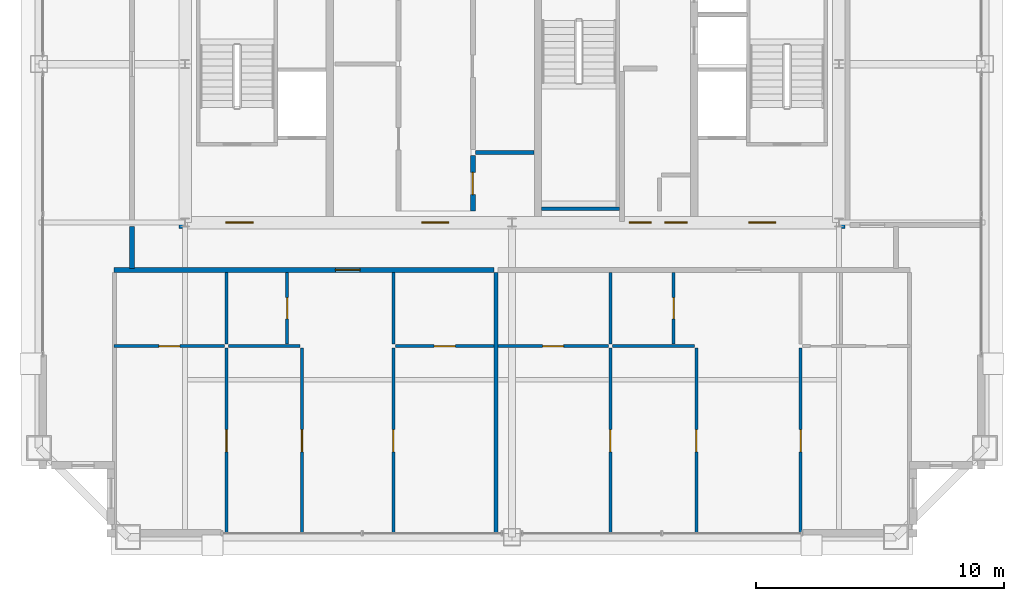
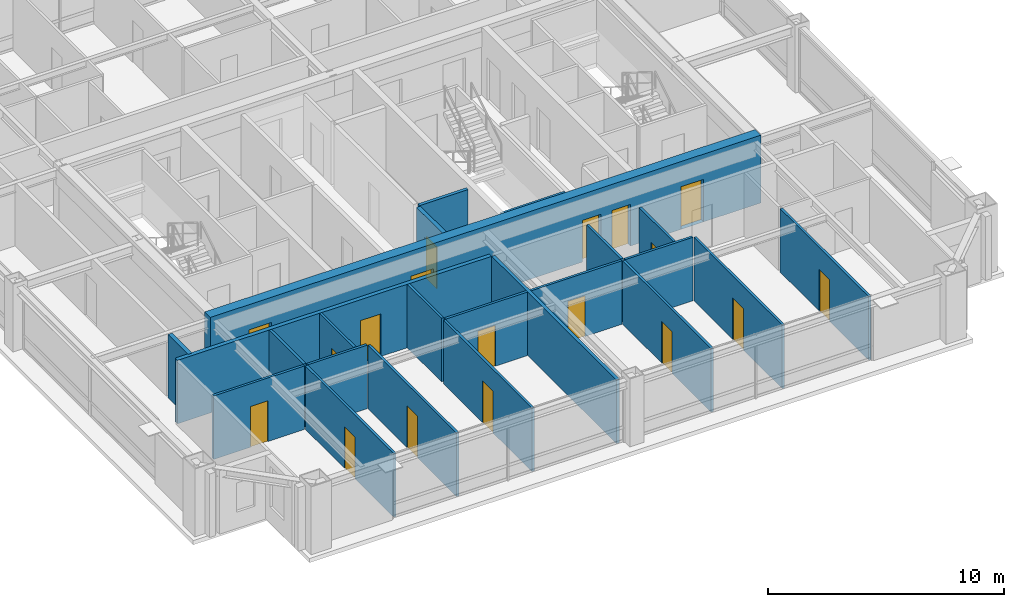
# One storey, part 30 of 35: 23 walls, 18 doors, 18 openings.
"""IFC4 building model written with IfcOpenShell, lengths in metres."""

import ifcopenshell
import ifcopenshell.guid

model = None  # the IFC model being written
_history = None  # IfcOwnerHistory: only IFC2X3 demands one
_inside = {}  # id of a spatial element -> (the spatial element, [elements in it])
_under = {}  # id of a project, library or spatial element -> (it, [spatial elements below it])
_declared = {}  # id of a project -> (the project, [libraries it declares])
_typed = {}  # id of a type object -> (the type object, [elements of that type])
_made_of = {}  # id of a material, layer set ... -> (it, [elements and type objects made of it])


def new_model(schema):
    """Start an empty IFC model of exactly this schema.

    Asked for "IFC4X3", IfcOpenShell would pick the latest addendum, in which some entities
    have other attributes; the version numbers below select the first issue.
    IFC2X3 requires an IfcOwnerHistory on every rooted entity: one is made here for all.
    """
    global model, _history
    if schema == "IFC4X3":
        model = ifcopenshell.file(schema_version=(4, 3, 0, 0))
    else:
        model = ifcopenshell.file(schema=schema)
    _inside.clear()
    _under.clear()
    _declared.clear()
    _typed.clear()
    _made_of.clear()
    _history = None
    if model.schema == "IFC2X3":
        org = make("IfcOrganization", Name="unknown")
        user = make(
            "IfcPersonAndOrganization",
            ThePerson=make("IfcPerson", FamilyName="unknown"),
            TheOrganization=org,
        )
        app = make(
            "IfcApplication",
            ApplicationDeveloper=org,
            Version="unknown",
            ApplicationFullName="unknown",
            ApplicationIdentifier="unknown",
        )
        _history = make(
            "IfcOwnerHistory",
            OwningUser=user,
            OwningApplication=app,
            ChangeAction="ADDED",
            CreationDate=0,
        )
    return model


def make(cls, **values):
    """One entity of the class cls with the attributes given. An attribute that is None is left unset."""
    return model.create_entity(
        cls, **{name: value for name, value in values.items() if value is not None}
    )


def rooted(cls, **values):
    """An entity with a GlobalId (a new one), such as an element, a storey or a relation."""
    return make(cls, GlobalId=ifcopenshell.guid.new(), OwnerHistory=_history, **values)


def si_unit(unit_type, name, prefix=None):
    """IfcSIUnit, for example si_unit("LENGTHUNIT", "METRE", prefix="MILLI")."""
    return make("IfcSIUnit", UnitType=unit_type, Prefix=prefix, Name=name)


def assignment(units):
    """IfcUnitAssignment: the units of a project."""
    return None if units is None else make("IfcUnitAssignment", Units=units)


def point(xyz):
    """IfcCartesianPoint."""
    return None if xyz is None else make("IfcCartesianPoint", Coordinates=xyz)


def direction(xyz):
    """IfcDirection."""
    return None if xyz is None else make("IfcDirection", DirectionRatios=xyz)


def frame(location, z_axis=None, x_axis=None):
    """IfcAxis2Placement3D, a coordinate frame: its origin and axes. An axis left out is left unset."""
    return make(
        "IfcAxis2Placement3D",
        Location=point(location),
        Axis=direction(z_axis),
        RefDirection=direction(x_axis),
    )


def frame_2d(location, x_axis=None):
    """IfcAxis2Placement2D, a coordinate frame in the plane: its origin and x axis."""
    return make(
        "IfcAxis2Placement2D", Location=point(location), RefDirection=direction(x_axis)
    )


def origin():
    """The frame at (0, 0, 0) with its axes left unset."""
    return frame((0.0, 0.0, 0.0))


def place(relative_to, where):
    """IfcLocalPlacement: puts the frame where relative to a parent placement (None: the world)."""
    return make(
        "IfcLocalPlacement", PlacementRelTo=relative_to, RelativePlacement=where
    )


def context(
    kind, dimensions, precision=None, world=None, true_north=None, identifier=None
):
    """IfcGeometricRepresentationContext, for example the 3D "Model" context."""
    return make(
        "IfcGeometricRepresentationContext",
        ContextIdentifier=identifier,
        ContextType=kind,
        CoordinateSpaceDimension=dimensions,
        Precision=precision,
        WorldCoordinateSystem=world,
        TrueNorth=true_north,
    )


def subcontext(parent, identifier, kind, view, scale=None):
    """IfcGeometricRepresentationSubContext, for example "Body" below "Model"."""
    return make(
        "IfcGeometricRepresentationSubContext",
        ContextIdentifier=identifier,
        ContextType=kind,
        ParentContext=parent,
        TargetScale=scale,
        TargetView=view,
    )


def project(units=None, contexts=None):
    """IfcProject with its units and contexts."""
    return rooted(
        "IfcProject",
        Name="project",
        RepresentationContexts=contexts,
        UnitsInContext=assignment(units),
    )


def spatial(cls, under=None, at=None, **own):
    """A site, building, storey or space (cls), placed at a placement, below another one or the project."""
    s = rooted(cls, ObjectPlacement=at, **own)
    if under is not None:
        _under.setdefault(under.id(), (under, []))[1].append(s)
    return s


def profile(cls, at=None, kind="AREA", **sizes):
    """A parametric profile (cls). Its sizes go by their IFC names, for example OverallWidth=200.0."""
    return make(cls, ProfileType=kind, Position=at, **sizes)


def rectangle(**sizes):
    """IfcRectangleProfileDef."""
    return profile("IfcRectangleProfileDef", **sizes)


def extrude(swept, where, along, depth):
    """IfcExtrudedAreaSolid: the profile swept, set in the frame where, extruded along a direction by depth."""
    return make(
        "IfcExtrudedAreaSolid",
        SweptArea=swept,
        Position=where,
        ExtrudedDirection=direction(along),
        Depth=depth,
    )


def shape(context_of_items, identifier, shape_type, items):
    """IfcShapeRepresentation: the items that make up one representation, for example the "Body"."""
    return make(
        "IfcShapeRepresentation",
        ContextOfItems=context_of_items,
        RepresentationIdentifier=identifier,
        RepresentationType=shape_type,
        Items=items,
    )


def source(mapping_origin, context_of_items, identifier, shape_type, items):
    """IfcRepresentationMap: a shape defined once, which mapped items show again and again."""
    return make(
        "IfcRepresentationMap",
        MappingOrigin=mapping_origin,
        MappedRepresentation=shape(context_of_items, identifier, shape_type, items),
    )


def transform(
    local_origin,
    x_axis=None,
    y_axis=None,
    z_axis=None,
    scale=None,
    scale2=None,
    scale3=None,
    uniform=True,
):
    """IfcCartesianTransformationOperator3D, or its non-uniform kind. x_axis, y_axis, z_axis: its Axis1, 2, 3."""
    if uniform:
        return make(
            "IfcCartesianTransformationOperator3D",
            Axis1=direction(x_axis),
            Axis2=direction(y_axis),
            LocalOrigin=point(local_origin),
            Scale=scale,
            Axis3=direction(z_axis),
        )
    return make(
        "IfcCartesianTransformationOperator3DnonUniform",
        Axis1=direction(x_axis),
        Axis2=direction(y_axis),
        LocalOrigin=point(local_origin),
        Scale=scale,
        Axis3=direction(z_axis),
        Scale2=scale2,
        Scale3=scale3,
    )


def mapped(mapping_source, mapping_target):
    """IfcMappedItem: shows the shape of a source again, moved by a transform."""
    return make(
        "IfcMappedItem", MappingSource=mapping_source, MappingTarget=mapping_target
    )


def material(Name=None, Category=None):
    """IfcMaterial."""
    return make("IfcMaterial", Name=Name, Category=Category)


def layer(
    of_material, thickness, ventilated=None, Name=None, Category=None, Priority=None
):
    """IfcMaterialLayer: one layer of a wall or slab, of a material (None: an air gap)."""
    return make(
        "IfcMaterialLayer",
        Material=of_material,
        LayerThickness=thickness,
        IsVentilated=ventilated,
        Name=Name,
        Category=Category,
        Priority=Priority,
    )


def layer_set(layers, Name=None):
    """IfcMaterialLayerSet."""
    return make("IfcMaterialLayerSet", MaterialLayers=layers, LayerSetName=Name)


def made_of(thing, what):
    """Note that an element or type object is made of a material, layer set ...; save() writes the relation."""
    if what is not None:
        _made_of.setdefault(what.id(), (what, []))[1].append(thing)
    return thing


def type_object(cls, material=None, **own):
    """A type object (cls), such as IfcWallType, which elements share."""
    return made_of(rooted(cls, **own), material)


def element(
    cls,
    number,
    at=None,
    inside=None,
    cuts=None,
    type_object=None,
    material=None,
    context=None,
    identifier="Body",
    shape_type=None,
    held_by="IfcProductDefinitionShape",
    body=None,
    shapes=None,
    **own,
):
    """One element of the class cls, such as IfcWall. Its Tag is "e" and its number.

    at: its placement. inside: the storey or other place that contains it. cuts: it is an
    opening in that element (IfcRelVoidsElement). A single representation is given by context,
    identifier, shape_type and body (its items); several are given by shapes. held_by: the class
    of the entity that holds the representations. save() writes the other relations.
    """
    e = rooted(cls, Tag="e%d" % number, ObjectPlacement=at, **own)
    if body is not None:
        shapes = [shape(context, identifier, shape_type, body)]
    if shapes is not None:
        e.Representation = make(held_by, Representations=shapes)
    if inside is not None:
        _inside.setdefault(inside.id(), (inside, []))[1].append(e)
    if cuts is not None:
        rooted(
            "IfcRelVoidsElement", RelatingBuildingElement=cuts, RelatedOpeningElement=e
        )
    if type_object is not None:
        _typed.setdefault(type_object.id(), (type_object, []))[1].append(e)
    return made_of(e, material)


def fill(opening, filler):
    """IfcRelFillsElement: the door or window that sits in an opening."""
    return rooted(
        "IfcRelFillsElement",
        RelatingOpeningElement=opening,
        RelatedBuildingElement=filler,
    )


def aggregate(whole, parts):
    """IfcRelAggregates: a whole, such as a stair, and the parts it consists of."""
    return rooted("IfcRelAggregates", RelatingObject=whole, RelatedObjects=parts)


def save(model, path):
    """Write the relations noted so far, then the file.

    IfcRelAggregates (storeys below a building ...), IfcRelContainedInSpatialStructure (elements
    in a storey), IfcRelDefinesByType, IfcRelAssociatesMaterial and IfcRelDeclares: one each for
    every whole, place, type object, material and project.
    """
    for whole, parts in _under.values():
        aggregate(whole, parts)
    for where, things in _inside.values():
        rooted(
            "IfcRelContainedInSpatialStructure",
            RelatedElements=things,
            RelatingStructure=where,
        )
    for kind, things in _typed.values():
        rooted("IfcRelDefinesByType", RelatedObjects=things, RelatingType=kind)
    for what, things in _made_of.values():
        rooted("IfcRelAssociatesMaterial", RelatedObjects=things, RelatingMaterial=what)
    for by, libraries in _declared.values():
        rooted("IfcRelDeclares", RelatingContext=by, RelatedDefinitions=libraries)
    model.write(path)


model = new_model("IFC4")

# Units and contexts
model_context = context("Model", 3, precision=1e-05, world=origin(), true_north=direction((0.0, 1.0)))
body_context = subcontext(model_context, "Body", "Model", "MODEL_VIEW")
ifc_project = project(units=[si_unit("LENGTHUNIT", "METRE"), si_unit("AREAUNIT", "SQUARE_METRE"), si_unit("VOLUMEUNIT", "CUBIC_METRE"), si_unit("PLANEANGLEUNIT", "RADIAN"), si_unit("MASSUNIT", "GRAM", prefix="KILO"), si_unit("THERMODYNAMICTEMPERATUREUNIT", "KELVIN"), si_unit("POWERUNIT", "WATT")], contexts=[model_context])

# Site, building, storey
site_placement = place(None, origin())
site = spatial("IfcSite", under=ifc_project, at=site_placement, CompositionType="ELEMENT")
building_placement = place(site_placement, origin())
building = spatial("IfcBuilding", under=site, at=building_placement, Name="Yuzanri Waterfront Tower", CompositionType="ELEMENT")
storey_placement = place(building_placement, frame((0.0, 0.0, 296.10009765625)))
storey = spatial("IfcBuildingStorey", under=building, at=storey_placement, Name="L79", CompositionType="ELEMENT", Elevation=296.10009765625)

# Wall, opening, door
ifc_material_1 = material(Name="Moisture-Resistant Gypsum Stud Wall", Category="gypsum")
ifc_layer_1 = layer(ifc_material_1, 0.1201171875)
ifc_layer_set_1 = layer_set([ifc_layer_1], Name="Moisture-Resistant Gypsum Stud Wall")
wall_type_1 = type_object("IfcWallType", Name="Bathroom and Kitchen Wet Partition 120", PredefinedType="PARTITIONING", material=ifc_layer_set_1)
wall_1_placement = place(storey_placement, frame((20.93994140625, 14.409912109375, 0.0), z_axis=(0.0, 0.0, 1.0), x_axis=(1.0, 0.0, 0.0)))
wall_1 = element("IfcWall", 1, at=wall_1_placement, inside=storey, type_object=wall_type_1, Name="L79 Partition UW-L79-HS1-SUB-1-S", PredefinedType="PARTITIONING", context=body_context, shape_type="SweptSolid", body=[
    extrude(rectangle(XDim=4.449951171875, YDim=0.1201171875, at=frame_2d((2.22509765625, 0.0))), origin(), (0.0, 0.0, 1.0), 3.27978515625),
])
opening_1_placement = place(wall_1_placement, frame((1.800048828125, 0.0, 0.0)))
opening_1 = element("IfcOpeningElement", 2, at=opening_1_placement, cuts=wall_1, Name="Opening ID-0850", PredefinedType="OPENING", context=body_context, shape_type="SweptSolid", body=[
    extrude(rectangle(XDim=0.85009765625, YDim=2.10009765625, at=frame_2d((0.425048828125, 1.050048828125))), frame((0.0, 0.074951171875, 0.0), z_axis=(0.0, -1.0, 0.0), x_axis=(1.0, 0.0, 0.0)), (0.0, 0.0, 1.0), 0.14990234375),
])
ifc_material_2 = material(Name="Moisture-Resistant Lacquered Timber", Category="wood")
door_type_1 = type_object("IfcDoorType", Name="En-Suite Bathroom and Kitchen Swing Door 850x2100", OperationType="NOTDEFINED", PredefinedType="DOOR", material=ifc_material_2)
shared_shape_1 = source(origin(), body_context, "Body", "SweptSolid", [
    extrude(rectangle(XDim=0.85009765625, YDim=2.10009765625, at=frame_2d((0.425048828125, 1.050048828125))), frame((0.0, 0.02490234375, 0.0), z_axis=(0.0, -1.0, 0.0), x_axis=(1.0, 0.0, 0.0)), (0.0, 0.0, 1.0), 0.050048828125),
])
door_1_placement = place(opening_1_placement, origin())
door_1 = element("IfcDoor", 3, at=door_1_placement, inside=storey, type_object=door_type_1, Name="L79 Suite Interior Room Door", OperationType="SINGLE_SWING_RIGHT", OverallHeight=2.10009765625, OverallWidth=0.85009765625, PredefinedType="DOOR", context=body_context, shape_type="MappedRepresentation", body=[
    mapped(shared_shape_1, transform((0.0, 0.0, 0.0), scale=1.0)),
])
fill(opening_1, door_1)

wall_2_placement = place(storey_placement, frame((27.922119140625, 14.489990234375, 0.0), z_axis=(0.0, 0.0, 1.0), x_axis=(0.0, 1.0, 0.0)))
wall_2 = element("IfcWall", 4, at=wall_2_placement, inside=storey, type_object=wall_type_1, Name="L79 Partition UW-L79-HS1-SUB-2-E", PredefinedType="PARTITIONING", context=body_context, shape_type="SweptSolid", body=[
    extrude(rectangle(XDim=2.89990234375, YDim=0.1201171875, at=frame_2d((1.449951171875, 0.0))), origin(), (0.0, 0.0, 1.0), 3.27978515625),
])
opening_2_placement = place(wall_2_placement, frame((1.02490234375, 0.0, 0.0)))
opening_2 = element("IfcOpeningElement", 5, at=opening_2_placement, cuts=wall_2, Name="Opening ID-0850", PredefinedType="OPENING", context=body_context, shape_type="SweptSolid", body=[
    extrude(rectangle(XDim=0.85009765625, YDim=2.10009765625, at=frame_2d((0.425048828125, 1.050048828125))), frame((0.0, 0.074951171875, 0.0), z_axis=(0.0, -1.0, 0.0), x_axis=(1.0, 0.0, 0.0)), (0.0, 0.0, 1.0), 0.14990234375),
])
door_2_placement = place(opening_2_placement, origin())
door_2 = element("IfcDoor", 6, at=door_2_placement, inside=storey, type_object=door_type_1, Name="L79 Suite Interior Room Door", OperationType="SINGLE_SWING_LEFT", OverallHeight=2.10009765625, OverallWidth=0.85009765625, PredefinedType="DOOR", context=body_context, shape_type="MappedRepresentation", body=[
    mapped(shared_shape_1, transform((0.0, 0.0, 0.0), scale=1.0)),
])
fill(opening_2, door_2)

wall_3_placement = place(storey_placement, frame((32.2900390625, 14.409912109375, 0.0), z_axis=(0.0, 0.0, 1.0), x_axis=(1.0, 0.0, 0.0)))
wall_3 = element("IfcWall", 7, at=wall_3_placement, inside=storey, type_object=wall_type_1, Name="L79 Partition UW-L79-HS1-SUB-3-S", PredefinedType="PARTITIONING", context=body_context, shape_type="SweptSolid", body=[
    extrude(rectangle(XDim=3.988037109375, YDim=0.1201171875, at=frame_2d((1.994140625, 0.0))), origin(), (0.0, 0.0, 1.0), 3.27978515625),
])
opening_3_placement = place(wall_3_placement, frame((1.569091796875, 0.0, 0.0)))
opening_3 = element("IfcOpeningElement", 8, at=opening_3_placement, cuts=wall_3, Name="Opening ID-0850", PredefinedType="OPENING", context=body_context, shape_type="SweptSolid", body=[
    extrude(rectangle(XDim=0.85009765625, YDim=2.10009765625, at=frame_2d((0.425048828125, 1.050048828125))), frame((0.0, 0.074951171875, 0.0), z_axis=(0.0, -1.0, 0.0), x_axis=(1.0, 0.0, 0.0)), (0.0, 0.0, 1.0), 0.14990234375),
])
door_3_placement = place(opening_3_placement, origin())
door_3 = element("IfcDoor", 9, at=door_3_placement, inside=storey, type_object=door_type_1, Name="L79 Suite Interior Room Door", OperationType="SINGLE_SWING_RIGHT", OverallHeight=2.10009765625, OverallWidth=0.85009765625, PredefinedType="DOOR", context=body_context, shape_type="MappedRepresentation", body=[
    mapped(shared_shape_1, transform((0.0, 0.0, 0.0), scale=1.0)),
])
fill(opening_3, door_3)

wall_4_placement = place(storey_placement, frame((25.469970703125, 6.85009765625, 0.0), z_axis=(0.0, 0.0, 1.0), x_axis=(0.0, 1.0, 0.0)))
wall_4 = element("IfcWall", 10, at=wall_4_placement, inside=storey, type_object=wall_type_1, Name="L79 Partition UW-L79-HS1-SUB-4-E", PredefinedType="PARTITIONING", context=body_context, shape_type="SweptSolid", body=[
    extrude(rectangle(XDim=7.47998046875, YDim=0.1201171875, at=frame_2d((3.739990234375, 0.0))), origin(), (0.0, 0.0, 1.0), 3.27978515625),
])
opening_4_placement = place(wall_4_placement, frame((3.2900390625, 0.0, 0.0)))
opening_4 = element("IfcOpeningElement", 11, at=opening_4_placement, cuts=wall_4, Name="Opening ID-0900", PredefinedType="OPENING", context=body_context, shape_type="SweptSolid", body=[
    extrude(rectangle(XDim=0.89990234375, YDim=2.14990234375, at=frame_2d((0.449951171875, 1.074951171875))), frame((0.0, 0.074951171875, 0.0), z_axis=(0.0, -1.0, 0.0), x_axis=(1.0, 0.0, 0.0)), (0.0, 0.0, 1.0), 0.14990234375),
])
ifc_material_3 = material(Name="Stained Walnut Veneer Timber", Category="wood")
door_type_2 = type_object("IfcDoorType", Name="Bedroom and Study Interior Swing Door 900x2150", OperationType="NOTDEFINED", PredefinedType="DOOR", material=ifc_material_3)
shared_shape_2 = source(origin(), body_context, "Body", "SweptSolid", [
    extrude(rectangle(XDim=0.89990234375, YDim=2.14990234375, at=frame_2d((0.449951171875, 1.074951171875))), frame((0.0, 0.02490234375, 0.0), z_axis=(0.0, -1.0, 0.0), x_axis=(1.0, 0.0, 0.0)), (0.0, 0.0, 1.0), 0.050048828125),
])
door_4_placement = place(opening_4_placement, origin())
door_4 = element("IfcDoor", 12, at=door_4_placement, inside=storey, type_object=door_type_2, Name="L79 Suite Interior Room Door", OperationType="SINGLE_SWING_LEFT", OverallHeight=2.14990234375, OverallWidth=0.89990234375, PredefinedType="DOOR", context=body_context, shape_type="MappedRepresentation", body=[
    mapped(shared_shape_2, transform((0.0, 0.0, 0.0), scale=1.0)),
])
fill(opening_4, door_4)

wall_5_placement = place(storey_placement, frame((32.2099609375, 6.85009765625, 0.0), z_axis=(0.0, 0.0, 1.0), x_axis=(0.0, 1.0, 0.0)))
wall_5 = element("IfcWall", 13, at=wall_5_placement, inside=storey, type_object=wall_type_1, Name="L79 Partition UW-L79-HS1-SUB-5-W", PredefinedType="PARTITIONING", context=body_context, shape_type="SweptSolid", body=[
    extrude(rectangle(XDim=7.47998046875, YDim=0.1201171875, at=frame_2d((3.739990234375, 0.0))), origin(), (0.0, 0.0, 1.0), 3.27978515625),
])
opening_5_placement = place(wall_5_placement, frame((3.2900390625, 0.0, 0.0)))
opening_5 = element("IfcOpeningElement", 14, at=opening_5_placement, cuts=wall_5, Name="Opening ID-0900", PredefinedType="OPENING", context=body_context, shape_type="SweptSolid", body=[
    extrude(rectangle(XDim=0.89990234375, YDim=2.14990234375, at=frame_2d((0.449951171875, 1.074951171875))), frame((0.0, 0.074951171875, 0.0), z_axis=(0.0, -1.0, 0.0), x_axis=(1.0, 0.0, 0.0)), (0.0, 0.0, 1.0), 0.14990234375),
])
door_5_placement = place(opening_5_placement, origin())
door_5 = element("IfcDoor", 15, at=door_5_placement, inside=storey, type_object=door_type_2, Name="L79 Suite Interior Room Door", OperationType="SINGLE_SWING_RIGHT", OverallHeight=2.14990234375, OverallWidth=0.89990234375, PredefinedType="DOOR", context=body_context, shape_type="MappedRepresentation", body=[
    mapped(shared_shape_2, transform((0.0, 0.0, 0.0), scale=1.0)),
])
fill(opening_5, door_5)

wall_6_placement = place(storey_placement, frame((28.52490234375, 6.85009765625, 0.0), z_axis=(0.0, 0.0, 1.0), x_axis=(0.0, 1.0, 0.0)))
wall_6 = element("IfcWall", 16, at=wall_6_placement, inside=storey, type_object=wall_type_1, Name="L79 Partition UW-L79-HS1-SUB-6-E", PredefinedType="PARTITIONING", context=body_context, shape_type="SweptSolid", body=[
    extrude(rectangle(XDim=7.47998046875, YDim=0.1201171875, at=frame_2d((3.739990234375, 0.0))), origin(), (0.0, 0.0, 1.0), 3.27978515625),
])
opening_6_placement = place(wall_6_placement, frame((3.2900390625, 0.0, 0.0)))
opening_6 = element("IfcOpeningElement", 17, at=opening_6_placement, cuts=wall_6, Name="Opening ID-0900", PredefinedType="OPENING", context=body_context, shape_type="SweptSolid", body=[
    extrude(rectangle(XDim=0.89990234375, YDim=2.14990234375, at=frame_2d((0.449951171875, 1.074951171875))), frame((0.0, 0.074951171875, 0.0), z_axis=(0.0, -1.0, 0.0), x_axis=(1.0, 0.0, 0.0)), (0.0, 0.0, 1.0), 0.14990234375),
])
door_6_placement = place(opening_6_placement, origin())
door_6 = element("IfcDoor", 18, at=door_6_placement, inside=storey, type_object=door_type_2, Name="L79 Suite Interior Room Door", OperationType="SINGLE_SWING_LEFT", OverallHeight=2.14990234375, OverallWidth=0.89990234375, PredefinedType="DOOR", context=body_context, shape_type="MappedRepresentation", body=[
    mapped(shared_shape_2, transform((0.0, 0.0, 0.0), scale=1.0)),
])
fill(opening_6, door_6)

wall_7_placement = place(storey_placement, frame((36.43798828125, 14.409912109375, 0.0), z_axis=(0.0, 0.0, 1.0), x_axis=(1.0, 0.0, 0.0)))
wall_7 = element("IfcWall", 19, at=wall_7_placement, inside=storey, type_object=wall_type_1, Name="L79 Partition UW-L79-HS2-SUB-1-S", PredefinedType="PARTITIONING", context=body_context, shape_type="SweptSolid", body=[
    extrude(rectangle(XDim=4.449951171875, YDim=0.1201171875, at=frame_2d((2.22509765625, 0.0))), origin(), (0.0, 0.0, 1.0), 3.27978515625),
])
opening_7_placement = place(wall_7_placement, frame((1.800048828125, 0.0, 0.0)))
opening_7 = element("IfcOpeningElement", 20, at=opening_7_placement, cuts=wall_7, Name="Opening ID-0850", PredefinedType="OPENING", context=body_context, shape_type="SweptSolid", body=[
    extrude(rectangle(XDim=0.85009765625, YDim=2.10009765625, at=frame_2d((0.425048828125, 1.050048828125))), frame((0.0, 0.074951171875, 0.0), z_axis=(0.0, -1.0, 0.0), x_axis=(1.0, 0.0, 0.0)), (0.0, 0.0, 1.0), 0.14990234375),
])
door_7_placement = place(opening_7_placement, origin())
door_7 = element("IfcDoor", 21, at=door_7_placement, inside=storey, type_object=door_type_1, Name="L79 Suite Interior Room Door", OperationType="SINGLE_SWING_LEFT", OverallHeight=2.10009765625, OverallWidth=0.85009765625, PredefinedType="DOOR", context=body_context, shape_type="MappedRepresentation", body=[
    mapped(shared_shape_1, transform((0.0, 0.0, 0.0), scale=1.0)),
])
fill(opening_7, door_7)

wall_8_placement = place(storey_placement, frame((43.528076171875, 14.489990234375, 0.0), z_axis=(0.0, 0.0, 1.0), x_axis=(0.0, 1.0, 0.0)))
wall_8 = element("IfcWall", 22, at=wall_8_placement, inside=storey, type_object=wall_type_1, Name="L79 Partition UW-L79-HS2-SUB-2-E", PredefinedType="PARTITIONING", context=body_context, shape_type="SweptSolid", body=[
    extrude(rectangle(XDim=2.89990234375, YDim=0.1201171875, at=frame_2d((1.449951171875, 0.0))), origin(), (0.0, 0.0, 1.0), 3.27978515625),
])
opening_8_placement = place(wall_8_placement, frame((1.02490234375, 0.0, 0.0)))
opening_8 = element("IfcOpeningElement", 23, at=opening_8_placement, cuts=wall_8, Name="Opening ID-0850", PredefinedType="OPENING", context=body_context, shape_type="SweptSolid", body=[
    extrude(rectangle(XDim=0.85009765625, YDim=2.10009765625, at=frame_2d((0.425048828125, 1.050048828125))), frame((0.0, 0.074951171875, 0.0), z_axis=(0.0, -1.0, 0.0), x_axis=(1.0, 0.0, 0.0)), (0.0, 0.0, 1.0), 0.14990234375),
])
door_8_placement = place(opening_8_placement, origin())
door_8 = element("IfcDoor", 24, at=door_8_placement, inside=storey, type_object=door_type_1, Name="L79 Suite Interior Room Door", OperationType="SINGLE_SWING_RIGHT", OverallHeight=2.10009765625, OverallWidth=0.85009765625, PredefinedType="DOOR", context=body_context, shape_type="MappedRepresentation", body=[
    mapped(shared_shape_1, transform((0.0, 0.0, 0.0), scale=1.0)),
])
fill(opening_8, door_8)

wall_9_placement = place(storey_placement, frame((40.968017578125, 6.85009765625, 0.0), z_axis=(0.0, 0.0, 1.0), x_axis=(0.0, 1.0, 0.0)))
wall_9 = element("IfcWall", 25, at=wall_9_placement, inside=storey, type_object=wall_type_1, Name="L79 Partition UW-L79-HS2-SUB-5-E", PredefinedType="PARTITIONING", context=body_context, shape_type="SweptSolid", body=[
    extrude(rectangle(XDim=7.47998046875, YDim=0.1201171875, at=frame_2d((3.739990234375, 0.0))), origin(), (0.0, 0.0, 1.0), 3.27978515625),
])
opening_9_placement = place(wall_9_placement, frame((3.2900390625, 0.0, 0.0)))
opening_9 = element("IfcOpeningElement", 26, at=opening_9_placement, cuts=wall_9, Name="Opening ID-0900", PredefinedType="OPENING", context=body_context, shape_type="SweptSolid", body=[
    extrude(rectangle(XDim=0.89990234375, YDim=2.14990234375, at=frame_2d((0.449951171875, 1.074951171875))), frame((0.0, 0.074951171875, 0.0), z_axis=(0.0, -1.0, 0.0), x_axis=(1.0, 0.0, 0.0)), (0.0, 0.0, 1.0), 0.14990234375),
])
door_9_placement = place(opening_9_placement, origin())
door_9 = element("IfcDoor", 27, at=door_9_placement, inside=storey, type_object=door_type_2, Name="L79 Suite Interior Room Door", OperationType="SINGLE_SWING_LEFT", OverallHeight=2.14990234375, OverallWidth=0.89990234375, PredefinedType="DOOR", context=body_context, shape_type="MappedRepresentation", body=[
    mapped(shared_shape_2, transform((0.0, 0.0, 0.0), scale=1.0)),
])
fill(opening_9, door_9)

wall_10_placement = place(storey_placement, frame((48.657958984375, 6.85009765625, 0.0), z_axis=(0.0, 0.0, 1.0), x_axis=(0.0, 1.0, 0.0)))
wall_10 = element("IfcWall", 28, at=wall_10_placement, inside=storey, type_object=wall_type_1, Name="L79 Partition UW-L79-HS2-SUB-6-W", PredefinedType="PARTITIONING", context=body_context, shape_type="SweptSolid", body=[
    extrude(rectangle(XDim=7.47998046875, YDim=0.1201171875, at=frame_2d((3.739990234375, 0.0))), origin(), (0.0, 0.0, 1.0), 3.27978515625),
])
opening_10_placement = place(wall_10_placement, frame((3.2900390625, 0.0, 0.0)))
opening_10 = element("IfcOpeningElement", 29, at=opening_10_placement, cuts=wall_10, Name="Opening ID-0900", PredefinedType="OPENING", context=body_context, shape_type="SweptSolid", body=[
    extrude(rectangle(XDim=0.89990234375, YDim=2.14990234375, at=frame_2d((0.449951171875, 1.074951171875))), frame((0.0, 0.074951171875, 0.0), z_axis=(0.0, -1.0, 0.0), x_axis=(1.0, 0.0, 0.0)), (0.0, 0.0, 1.0), 0.14990234375),
])
door_10_placement = place(opening_10_placement, origin())
door_10 = element("IfcDoor", 30, at=door_10_placement, inside=storey, type_object=door_type_2, Name="L79 Suite Interior Room Door", OperationType="SINGLE_SWING_RIGHT", OverallHeight=2.14990234375, OverallWidth=0.89990234375, PredefinedType="DOOR", context=body_context, shape_type="MappedRepresentation", body=[
    mapped(shared_shape_2, transform((0.0, 0.0, 0.0), scale=1.0)),
])
fill(opening_10, door_10)

wall_11_placement = place(storey_placement, frame((44.44091796875, 6.85009765625, 0.0), z_axis=(0.0, 0.0, 1.0), x_axis=(0.0, 1.0, 0.0)))
wall_11 = element("IfcWall", 31, at=wall_11_placement, inside=storey, type_object=wall_type_1, Name="L79 Partition UW-L79-HS2-SUB-7-E", PredefinedType="PARTITIONING", context=body_context, shape_type="SweptSolid", body=[
    extrude(rectangle(XDim=7.47998046875, YDim=0.1201171875, at=frame_2d((3.739990234375, 0.0))), origin(), (0.0, 0.0, 1.0), 3.27978515625),
])
opening_11_placement = place(wall_11_placement, frame((3.2900390625, 0.0, 0.0)))
opening_11 = element("IfcOpeningElement", 32, at=opening_11_placement, cuts=wall_11, Name="Opening ID-0900", PredefinedType="OPENING", context=body_context, shape_type="SweptSolid", body=[
    extrude(rectangle(XDim=0.89990234375, YDim=2.14990234375, at=frame_2d((0.449951171875, 1.074951171875))), frame((0.0, 0.074951171875, 0.0), z_axis=(0.0, -1.0, 0.0), x_axis=(1.0, 0.0, 0.0)), (0.0, 0.0, 1.0), 0.14990234375),
])
door_11_placement = place(opening_11_placement, origin())
door_11 = element("IfcDoor", 33, at=door_11_placement, inside=storey, type_object=door_type_2, Name="L79 Suite Interior Room Door", OperationType="SINGLE_SWING_LEFT", OverallHeight=2.14990234375, OverallWidth=0.89990234375, PredefinedType="DOOR", context=body_context, shape_type="MappedRepresentation", body=[
    mapped(shared_shape_2, transform((0.0, 0.0, 0.0), scale=1.0)),
])
fill(opening_11, door_11)

# Wall, openings, doors
ifc_material_4 = material(Name="Concrete C45", Category="concrete")
ifc_layer_2 = layer(ifc_material_4, 0.47998046875)
ifc_layer_set_2 = layer_set([ifc_layer_2], Name="Concrete C45")
wall_type_2 = type_object("IfcWallType", Name="Concrete C45 High-Rise Core Shear Wall 480", PredefinedType="SHEAR", material=ifc_layer_set_2)
wall_12_placement = place(storey_placement, frame((23.56005859375, 19.39990234375, 0.0), z_axis=(0.0, 0.0, 1.0), x_axis=(1.0, 0.0, 0.0)))
wall_12 = element("IfcWall", 34, at=wall_12_placement, inside=storey, type_object=wall_type_2, Name="L79 Core South Shear Wall", PredefinedType="SHEAR", context=body_context, shape_type="SweptSolid", body=[
    extrude(rectangle(XDim=26.8798828125, YDim=0.47998046875, at=frame_2d((13.43994140625, 0.0))), origin(), (0.0, 0.0, 1.0), 3.5),
])
opening_12_placement = place(wall_12_placement, frame((1.889892578125, 0.0, 0.0)))
opening_12 = element("IfcOpeningElement", 35, at=opening_12_placement, cuts=wall_12, Name="Opening FD-1100", PredefinedType="OPENING", context=body_context, shape_type="SweptSolid", body=[
    extrude(rectangle(XDim=1.10009765625, YDim=2.199951171875, at=frame_2d((0.550048828125, 1.10009765625))), frame((0.0, 0.2548828125, 0.0), z_axis=(0.0, -1.0, 0.0), x_axis=(1.0, 0.0, 0.0)), (0.0, 0.0, 1.0), 0.509765625),
])
opening_13_placement = place(wall_12_placement, frame((9.7900390625, 0.0, 0.0)))
opening_13 = element("IfcOpeningElement", 36, at=opening_13_placement, cuts=wall_12, Name="Opening FD-1100", PredefinedType="OPENING", context=body_context, shape_type="SweptSolid", body=[
    extrude(rectangle(XDim=1.10009765625, YDim=2.199951171875, at=frame_2d((0.550048828125, 1.10009765625))), frame((0.0, 0.2548828125, 0.0), z_axis=(0.0, -1.0, 0.0), x_axis=(1.0, 0.0, 0.0)), (0.0, 0.0, 1.0), 0.509765625),
])
opening_14_placement = place(wall_12_placement, frame((22.989990234375, 0.0, 0.0)))
opening_14 = element("IfcOpeningElement", 37, at=opening_14_placement, cuts=wall_12, Name="Opening FD-1100", PredefinedType="OPENING", context=body_context, shape_type="SweptSolid", body=[
    extrude(rectangle(XDim=1.10009765625, YDim=2.199951171875, at=frame_2d((0.550048828125, 1.10009765625))), frame((0.0, 0.2548828125, 0.0), z_axis=(0.0, -1.0, 0.0), x_axis=(1.0, 0.0, 0.0)), (0.0, 0.0, 1.0), 0.509765625),
])
opening_15_placement = place(wall_12_placement, frame((19.610107421875, 0.0, 0.0)))
opening_15 = element("IfcOpeningElement", 38, at=opening_15_placement, cuts=wall_12, Name="Opening FD-0900", PredefinedType="OPENING", context=body_context, shape_type="SweptSolid", body=[
    extrude(rectangle(XDim=0.89990234375, YDim=2.14990234375, at=frame_2d((0.449951171875, 1.074951171875))), frame((0.0, 0.2548828125, 0.0), z_axis=(0.0, -1.0, 0.0), x_axis=(1.0, 0.0, 0.0)), (0.0, 0.0, 1.0), 0.509765625),
])
opening_16_placement = place(wall_12_placement, frame((18.169921875, 0.0, 0.0)))
opening_16 = element("IfcOpeningElement", 39, at=opening_16_placement, cuts=wall_12, Name="Opening FD-0900", PredefinedType="OPENING", context=body_context, shape_type="SweptSolid", body=[
    extrude(rectangle(XDim=0.89990234375, YDim=2.14990234375, at=frame_2d((0.449951171875, 1.074951171875))), frame((0.0, 0.2548828125, 0.0), z_axis=(0.0, -1.0, 0.0), x_axis=(1.0, 0.0, 0.0)), (0.0, 0.0, 1.0), 0.509765625),
])
ifc_material_5 = material(Name="Painted Galvanized Fire Steel", Category="steel")
door_type_3 = type_object("IfcDoorType", Name="Smoke-Proof Stair and Lobby Fire Door 1100x2200", OperationType="NOTDEFINED", PredefinedType="DOOR", material=ifc_material_5)
shared_shape_3 = source(origin(), body_context, "Body", "SweptSolid", [
    extrude(rectangle(XDim=1.10009765625, YDim=2.199951171875, at=frame_2d((0.550048828125, 1.10009765625))), frame((0.0, 0.02490234375, 0.0), z_axis=(0.0, -1.0, 0.0), x_axis=(1.0, 0.0, 0.0)), (0.0, 0.0, 1.0), 0.050048828125),
])
door_12_placement = place(opening_12_placement, origin())
door_12 = element("IfcDoor", 40, at=door_12_placement, inside=storey, type_object=door_type_3, Name="L79 West Firefighting Lobby Door", OperationType="SINGLE_SWING_LEFT", OverallHeight=2.199951171875, OverallWidth=1.10009765625, PredefinedType="DOOR", context=body_context, shape_type="MappedRepresentation", body=[
    mapped(shared_shape_3, transform((0.0, 0.0, 0.0), scale=1.0)),
])
fill(opening_12, door_12)
door_13_placement = place(opening_13_placement, origin())
door_13 = element("IfcDoor", 41, at=door_13_placement, inside=storey, type_object=door_type_3, Name="L79 Central Lift Lobby South Door", OperationType="SINGLE_SWING_RIGHT", OverallHeight=2.199951171875, OverallWidth=1.10009765625, PredefinedType="DOOR", context=body_context, shape_type="MappedRepresentation", body=[
    mapped(shared_shape_3, transform((0.0, 0.0, 0.0), scale=1.0)),
])
fill(opening_13, door_13)
door_14_placement = place(opening_14_placement, origin())
door_14 = element("IfcDoor", 42, at=door_14_placement, inside=storey, type_object=door_type_3, Name="L79 East Firefighting Lobby Door", OperationType="SINGLE_SWING_LEFT", OverallHeight=2.199951171875, OverallWidth=1.10009765625, PredefinedType="DOOR", context=body_context, shape_type="MappedRepresentation", body=[
    mapped(shared_shape_3, transform((0.0, 0.0, 0.0), scale=1.0)),
])
fill(opening_14, door_14)
ifc_material_6 = material(Name="Painted Galvanized Fire Steel", Category="steel")
door_type_4 = type_object("IfcDoorType", Name="Riser and Service Room Fire Door 900x2150", OperationType="NOTDEFINED", PredefinedType="DOOR", material=ifc_material_6)
shared_shape_4 = source(origin(), body_context, "Body", "SweptSolid", [
    extrude(rectangle(XDim=0.89990234375, YDim=2.14990234375, at=frame_2d((0.449951171875, 1.074951171875))), frame((0.0, 0.02490234375, 0.0), z_axis=(0.0, -1.0, 0.0), x_axis=(1.0, 0.0, 0.0)), (0.0, 0.0, 1.0), 0.050048828125),
])
door_15_placement = place(opening_15_placement, origin())
door_15 = element("IfcDoor", 43, at=door_15_placement, inside=storey, type_object=door_type_4, Name="L79 East Wet Riser Door", OperationType="SINGLE_SWING_LEFT", OverallHeight=2.14990234375, OverallWidth=0.89990234375, PredefinedType="DOOR", context=body_context, shape_type="MappedRepresentation", body=[
    mapped(shared_shape_4, transform((0.0, 0.0, 0.0), scale=1.0)),
])
fill(opening_15, door_15)
door_16_placement = place(opening_16_placement, origin())
door_16 = element("IfcDoor", 44, at=door_16_placement, inside=storey, type_object=door_type_4, Name="L79 Cleaners Store Room", OperationType="SINGLE_SWING_RIGHT", OverallHeight=2.14990234375, OverallWidth=0.89990234375, PredefinedType="DOOR", context=body_context, shape_type="MappedRepresentation", body=[
    mapped(shared_shape_4, transform((0.0, 0.0, 0.0), scale=1.0)),
])
fill(opening_16, door_16)

# Wall, opening, door
ifc_material_7 = material(Name="Autoclaved Aerated Concrete Blockwork", Category="masonry")
ifc_layer_3 = layer(ifc_material_7, 0.199951171875)
ifc_layer_set_3 = layer_set([ifc_layer_3], Name="Autoclaved Aerated Concrete Blockwork")
wall_type_3 = type_object("IfcWallType", Name="Corridor and Unit Party Fire Wall 200", PredefinedType="PARTITIONING", material=ifc_layer_set_3)
wall_13_placement = place(storey_placement, frame((35.419921875, 19.860107421875, 0.0), z_axis=(0.0, 0.0, 1.0), x_axis=(0.0, 1.0, 0.0)))
wall_13 = element("IfcWall", 45, at=wall_13_placement, inside=storey, type_object=wall_type_3, Name="L79 Partition CRW-L79-B2R-1", PredefinedType="PARTITIONING", context=body_context, shape_type="SweptSolid", body=[
    extrude(rectangle(XDim=2.239990234375, YDim=0.199951171875, at=frame_2d((1.1201171875, 0.0))), origin(), (0.0, 0.0, 1.0), 3.27978515625),
])
opening_17_placement = place(wall_13_placement, frame((0.669921875, 0.0, 0.0)))
opening_17 = element("IfcOpeningElement", 46, at=opening_17_placement, cuts=wall_13, Name="Opening FD-0900", PredefinedType="OPENING", context=body_context, shape_type="SweptSolid", body=[
    extrude(rectangle(XDim=0.89990234375, YDim=2.14990234375, at=frame_2d((0.449951171875, 1.074951171875))), frame((0.0, 0.11474609375, 0.0), z_axis=(0.0, -1.0, 0.0), x_axis=(1.0, 0.0, 0.0)), (0.0, 0.0, 1.0), 0.229736328125),
])
door_17_placement = place(opening_17_placement, origin())
door_17 = element("IfcDoor", 47, at=door_17_placement, inside=storey, type_object=door_type_4, Name="L79 Service Duct Shaft", OperationType="SINGLE_SWING_LEFT", OverallHeight=2.14990234375, OverallWidth=0.89990234375, PredefinedType="DOOR", context=body_context, shape_type="MappedRepresentation", body=[
    mapped(shared_shape_4, transform((0.0, 0.0, 0.0), scale=1.0)),
])
fill(opening_17, door_17)

wall_14_placement = place(storey_placement, frame((20.93994140625, 17.489990234375, 0.0), z_axis=(0.0, 0.0, 1.0), x_axis=(1.0, 0.0, 0.0)))
wall_14 = element("IfcWall", 48, at=wall_14_placement, inside=storey, type_object=wall_type_3, Name="L79 Partition UW-L79-HS1-CN", PredefinedType="PARTITIONING", context=body_context, shape_type="SweptSolid", body=[
    extrude(rectangle(XDim=15.338134765625, YDim=0.199951171875, at=frame_2d((7.6689453125, 0.0))), origin(), (0.0, 0.0, 1.0), 3.27978515625),
])
opening_18_placement = place(wall_14_placement, frame((8.927001953125, 0.0, 0.0)))
opening_18 = element("IfcOpeningElement", 49, at=opening_18_placement, cuts=wall_14, Name="Opening FD-1000", PredefinedType="OPENING", context=body_context, shape_type="SweptSolid", body=[
    extrude(rectangle(XDim=1.0, YDim=2.199951171875, at=frame_2d((0.5, 1.10009765625))), frame((0.0, 0.11474609375, 0.0), z_axis=(0.0, -1.0, 0.0), x_axis=(1.0, 0.0, 0.0)), (0.0, 0.0, 1.0), 0.229736328125),
])
ifc_material_8 = material(Name="Engineered Oak Fire-Rated Timber", Category="wood")
door_type_5 = type_object("IfcDoorType", Name="Guestroom and Apartment Entrance Fire Door 1000x2200", OperationType="NOTDEFINED", PredefinedType="DOOR", material=ifc_material_8)
shared_shape_5 = source(origin(), body_context, "Body", "SweptSolid", [
    extrude(rectangle(XDim=1.0, YDim=2.199951171875, at=frame_2d((0.5, 1.10009765625))), frame((0.0, 0.02490234375, 0.0), z_axis=(0.0, -1.0, 0.0), x_axis=(1.0, 0.0, 0.0)), (0.0, 0.0, 1.0), 0.050048828125),
])
door_18_placement = place(opening_18_placement, origin())
door_18 = element("IfcDoor", 50, at=door_18_placement, inside=storey, type_object=door_type_5, Name="L79 Apartment Living and Dining Salon Entrance Door", OperationType="SINGLE_SWING_LEFT", OverallHeight=2.199951171875, OverallWidth=1.0, PredefinedType="DOOR", context=body_context, shape_type="MappedRepresentation", body=[
    mapped(shared_shape_5, transform((0.0, 0.0, 0.0), scale=1.0)),
])
fill(opening_18, door_18)

# Walls
ifc_material_9 = material(Name="Concrete C40", Category="concrete")
ifc_layer_4 = layer(ifc_material_9, 0.139892578125)
ifc_layer_set_4 = layer_set([ifc_layer_4], Name="Concrete C40")
wall_type_4 = type_object("IfcWallType", Name="Core Stair Liner and Hoistway Shaft Wall 140", PredefinedType="SOLIDWALL", material=ifc_layer_set_4)
shared_shape_6 = source(origin(), body_context, "Body", "SweptSolid", [
    extrude(rectangle(XDim=3.14013671875, YDim=0.139892578125, at=frame_2d((1.570068359375, 0.0))), origin(), (0.0, 0.0, 1.0), 3.27978515625),
])
wall_15_placement = place(storey_placement, frame((38.199951171875, 19.949951171875, 0.0), z_axis=(0.0, 0.0, 1.0), x_axis=(1.0, 0.0, 0.0)))
element("IfcWall", 51, at=wall_15_placement, inside=storey, type_object=wall_type_4, Name="L79 Stair ST-03 South Shaft Wall", PredefinedType="SOLIDWALL", context=body_context, shape_type="MappedRepresentation", body=[
    mapped(shared_shape_6, transform((0.0, 0.0, 0.0), scale=1.0)),
])
ifc_material_10 = material(Name="Gypsum Fireboard Acoustic Stud Wall", Category="gypsum")
ifc_layer_5 = layer(ifc_material_10, 0.159912109375)
ifc_layer_set_5 = layer_set([ifc_layer_5], Name="Gypsum Fireboard Acoustic Stud Wall")
wall_type_5 = type_object("IfcWallType", Name="Acoustic Suite Demising Partition 160", PredefinedType="PARTITIONING", material=ifc_layer_set_5)
shared_shape_7 = source(origin(), body_context, "Body", "SweptSolid", [
    extrude(rectangle(XDim=2.35986328125, YDim=0.159912109375, at=frame_2d((1.179931640625, 0.0))), origin(), (0.0, 0.0, 1.0), 3.27978515625),
])
wall_16_placement = place(storey_placement, frame((35.52001953125, 22.22998046875, 0.0), z_axis=(0.0, 0.0, 1.0), x_axis=(1.0, 0.0, 0.0)))
element("IfcWall", 52, at=wall_16_placement, inside=storey, type_object=wall_type_5, Name="L79 Reclaimed High-Zone Divider 2", PredefinedType="PARTITIONING", context=body_context, shape_type="MappedRepresentation", body=[
    mapped(shared_shape_7, transform((0.0, 0.0, 0.0), scale=1.0)),
])
shared_shape_8 = source(origin(), body_context, "Body", "SweptSolid", [
    extrude(rectangle(XDim=1.699951171875, YDim=0.199951171875, at=frame_2d((0.85009765625, 0.0))), origin(), (0.0, 0.0, 1.0), 3.27978515625),
])
wall_17_placement = place(storey_placement, frame((21.64990234375, 17.550048828125, 0.0), z_axis=(0.0, 0.0, 1.0), x_axis=(0.0, 1.0, 0.0)))
element("IfcWall", 53, at=wall_17_placement, inside=storey, type_object=wall_type_3, Name="L79 South Foyer West End Wall", PredefinedType="PARTITIONING", context=body_context, shape_type="MappedRepresentation", body=[
    mapped(shared_shape_8, transform((0.0, 0.0, 0.0), scale=1.0)),
])
shared_shape_9 = source(origin(), body_context, "Body", "SweptSolid", [
    extrude(rectangle(XDim=10.539794921875, YDim=0.159912109375, at=frame_2d((5.27001953125, 0.0))), origin(), (0.0, 0.0, 1.0), 3.27978515625),
])
wall_18_placement = place(storey_placement, frame((36.35791015625, 6.85009765625, 0.0), z_axis=(0.0, 0.0, 1.0), x_axis=(0.0, 1.0, 0.0)))
element("IfcWall", 54, at=wall_18_placement, inside=storey, type_object=wall_type_5, Name="L79-HS1 Party Wall", PredefinedType="PARTITIONING", context=body_context, shape_type="MappedRepresentation", body=[
    mapped(shared_shape_9, transform((0.0, 0.0, 0.0), scale=1.0)),
])
shared_shape_10 = source(origin(), body_context, "Body", "SweptSolid", [
    extrude(rectangle(XDim=2.89990234375, YDim=0.1201171875, at=frame_2d((1.449951171875, 0.0))), origin(), (0.0, 0.0, 1.0), 3.27978515625),
])
for number, where, z_axis, x_axis, name in (
    (55, (25.469970703125, 14.489990234375, 0.0), (0.0, 0.0, 1.0), (0.0, 1.0, 0.0), "L79 Partition UW-L79-HS1-SUB-1-E"),
    (56, (32.2099609375, 14.489990234375, 0.0), (0.0, 0.0, 1.0), (0.0, 1.0, 0.0), "L79 Partition UW-L79-HS1-SUB-3-W"),
    (57, (40.968017578125, 14.489990234375, 0.0), (0.0, 0.0, 1.0), (0.0, 1.0, 0.0), "L79 Partition UW-L79-HS2-SUB-1-E"),
):
    element("IfcWall", number, at=place(storey_placement, frame(where, z_axis=z_axis, x_axis=x_axis)), inside=storey, type_object=wall_type_1, Name=name, PredefinedType="PARTITIONING", context=body_context, shape_type="MappedRepresentation", body=[
        mapped(shared_shape_10, transform((0.0, 0.0, 0.0), scale=1.0)),
    ])
shared_shape_11 = source(origin(), body_context, "Body", "SweptSolid", [
    extrude(rectangle(XDim=3.31298828125, YDim=0.1201171875, at=frame_2d((1.656494140625, 0.0))), origin(), (0.0, 0.0, 1.0), 3.27978515625),
])
wall_19_placement = place(storey_placement, frame((41.048095703125, 14.409912109375, 0.0), z_axis=(0.0, 0.0, 1.0), x_axis=(1.0, 0.0, 0.0)))
element("IfcWall", 58, at=wall_19_placement, inside=storey, type_object=wall_type_1, Name="L79 Partition UW-L79-HS2-SUB-7-N", PredefinedType="PARTITIONING", context=body_context, shape_type="MappedRepresentation", body=[
    mapped(shared_shape_11, transform((0.0, 0.0, 0.0), scale=1.0)),
])
shared_shape_12 = source(origin(), body_context, "Body", "SweptSolid", [
    extrude(rectangle(XDim=2.89501953125, YDim=0.1201171875, at=frame_2d((1.447509765625, 0.0))), origin(), (0.0, 0.0, 1.0), 3.27978515625),
])
wall_20_placement = place(storey_placement, frame((25.550048828125, 14.409912109375, 0.0), z_axis=(0.0, 0.0, 1.0), x_axis=(1.0, 0.0, 0.0)))
element("IfcWall", 59, at=wall_20_placement, inside=storey, type_object=wall_type_1, Name="L79 Partition UW-L79-HS1-SUB-6-N", PredefinedType="PARTITIONING", context=body_context, shape_type="MappedRepresentation", body=[
    mapped(shared_shape_12, transform((0.0, 0.0, 0.0), scale=1.0)),
])

save(model, "model.ifc")
